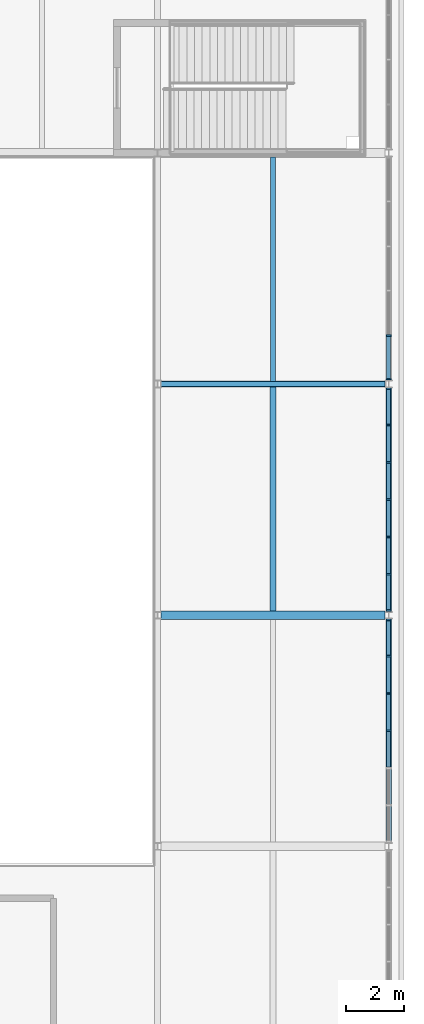
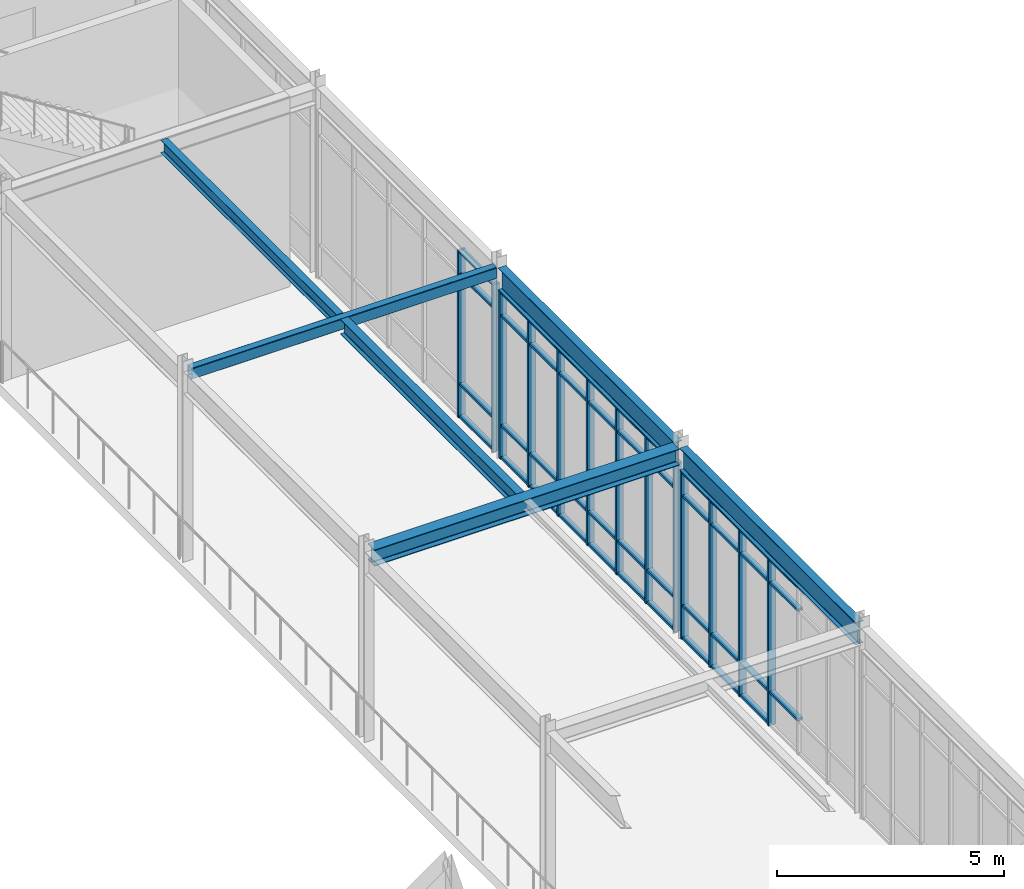
# One storey, part 76 of 184: 56 members, 6 beams, 3 elements without a shape of their own.
"""IFC4 building model written with IfcOpenShell, lengths in metres."""

from ifc_helpers import new_model, si_unit, direction, frame, origin, origin_2d, place, context, subcontext, project, spatial, rectangle, hollow_rectangle, i_section, extrude, material, material_profile, profile_set, type_object, element, aggregate, save


model = new_model("IFC4")

# Units and contexts
model_context = context("Model", 3, precision=1e-05, world=origin(), true_north=direction((0.0, 1.0)))
body_context = subcontext(model_context, "Body", "Model", "MODEL_VIEW")
ifc_project = project(units=[si_unit("LENGTHUNIT", "METRE"), si_unit("AREAUNIT", "SQUARE_METRE"), si_unit("VOLUMEUNIT", "CUBIC_METRE"), si_unit("PLANEANGLEUNIT", "RADIAN"), si_unit("MASSUNIT", "GRAM", prefix="KILO")], contexts=[model_context])

# Site, building, storey
site_placement = place(None, origin())
site = spatial("IfcSite", under=ifc_project, at=site_placement, CompositionType="ELEMENT")
building_placement = place(site_placement, origin())
building = spatial("IfcBuilding", under=site, at=building_placement, Name="Zhaolan Boulevard Law Courts", CompositionType="ELEMENT")
storey_placement = place(building_placement, frame((0.0, 0.0, 5.39990234375)))
storey = spatial("IfcBuildingStorey", under=building, at=storey_placement, Name="L01", CompositionType="ELEMENT", Elevation=5.39990234375)

# Curtain wall, members
ifc_material_1 = material(Name="Thermally broken aluminium and low-E glazing", Category="aluminium")
curtain_wall_type_1 = type_object("IfcCurtainWallType", Name="CURTAIN WALL M14", PredefinedType="USERDEFINED", material=ifc_material_1)
curtain_wall_1_placement = place(storey_placement, origin())
curtain_wall_1 = element("IfcCurtainWall", 1, at=curtain_wall_1_placement, inside=storey, type_object=curtain_wall_type_1, Name="Curtain Wall CW-L01-062", ObjectType="CURTAIN WALL", PredefinedType="USERDEFINED")
ifc_material_2 = material(Name="Fluorocarbon-coated aluminium 6063-T6", Category="aluminium")
ifc_material_profile_1 = material_profile(ifc_material_2, rectangle(XDim=0.179931640625, YDim=0.06494140625, at=origin_2d()), Name="AL65x180")
ifc_profile_set_1 = profile_set([ifc_material_profile_1], Name="Fluorocarbon-coated aluminium 6063-T6")
member_type_1 = type_object("IfcMemberType", Name="CWMULLION 65X180", PredefinedType="MULLION", material=ifc_profile_set_1)
member_1_placement = place(storey_placement, frame((164.0, 18.0, 0.0), z_axis=(0.0, 0.0, 1.0), x_axis=(-1.0, 0.0, 0.0)))
member_1 = element("IfcMember", 2, at=member_1_placement, type_object=member_type_1, Name="CW-L01-062 mullion 4", PredefinedType="MULLION", context=body_context, shape_type="SweptSolid", body=[
    extrude(rectangle(XDim=0.179931640625, YDim=0.06494140625, at=origin_2d()), origin(), (0.0, 0.0, 1.0), 4.503173828125),
])
member_2_placement = place(storey_placement, frame((164.0, 19.291015625, 0.0), z_axis=(0.0, 0.0, 1.0), x_axis=(-1.0, 0.0, 0.0)))
member_2 = element("IfcMember", 3, at=member_2_placement, type_object=member_type_1, Name="CW-L01-062 mullion 5", PredefinedType="MULLION", context=body_context, shape_type="SweptSolid", body=[
    extrude(rectangle(XDim=0.179931640625, YDim=0.06494140625, at=origin_2d()), origin(), (0.0, 0.0, 1.0), 4.503173828125),
])
member_3_placement = place(storey_placement, frame((164.0, 20.58203125, 0.0), z_axis=(0.0, 0.0, 1.0), x_axis=(-1.0, 0.0, 0.0)))
member_3 = element("IfcMember", 4, at=member_3_placement, type_object=member_type_1, Name="CW-L01-062 mullion 6", PredefinedType="MULLION", context=body_context, shape_type="SweptSolid", body=[
    extrude(rectangle(XDim=0.179931640625, YDim=0.06494140625, at=origin_2d()), origin(), (0.0, 0.0, 1.0), 4.503173828125),
])
member_4_placement = place(storey_placement, frame((164.0, 21.840576171875, 0.0), z_axis=(0.0, 0.0, 1.0), x_axis=(-1.0, 0.0, 0.0)))
member_4 = element("IfcMember", 5, at=member_4_placement, type_object=member_type_1, Name="CW-L01-062 mullion 7", PredefinedType="MULLION", context=body_context, shape_type="SweptSolid", body=[
    extrude(rectangle(XDim=0.179931640625, YDim=0.06494140625, at=origin_2d()), origin(), (0.0, 0.0, 1.0), 4.503173828125),
])

ifc_material_3 = material(Name="Thermally broken aluminium and low-E glazing", Category="aluminium")
curtain_wall_type_2 = type_object("IfcCurtainWallType", Name="CURTAIN WALL M15", PredefinedType="USERDEFINED", material=ifc_material_3)
curtain_wall_2_placement = place(storey_placement, origin())
curtain_wall_2 = element("IfcCurtainWall", 6, at=curtain_wall_2_placement, inside=storey, type_object=curtain_wall_type_2, Name="Curtain Wall CW-L01-063", ObjectType="CURTAIN WALL", PredefinedType="USERDEFINED")
member_5_placement = place(storey_placement, frame((164.0, 22.159423828125, 0.0), z_axis=(0.0, 0.0, 1.0), x_axis=(-1.0, 0.0, 0.0)))
member_5 = element("IfcMember", 7, at=member_5_placement, type_object=member_type_1, Name="CW-L01-063 mullion 1", PredefinedType="MULLION", context=body_context, shape_type="SweptSolid", body=[
    extrude(rectangle(XDim=0.179931640625, YDim=0.06494140625, at=origin_2d()), origin(), (0.0, 0.0, 1.0), 4.503173828125),
])
member_6_placement = place(storey_placement, frame((164.0, 23.41796875, 0.0), z_axis=(0.0, 0.0, 1.0), x_axis=(-1.0, 0.0, 0.0)))
member_6 = element("IfcMember", 8, at=member_6_placement, type_object=member_type_1, Name="CW-L01-063 mullion 2", PredefinedType="MULLION", context=body_context, shape_type="SweptSolid", body=[
    extrude(rectangle(XDim=0.179931640625, YDim=0.06494140625, at=origin_2d()), origin(), (0.0, 0.0, 1.0), 4.503173828125),
])
member_7_placement = place(storey_placement, frame((164.0, 24.708984375, 0.0), z_axis=(0.0, 0.0, 1.0), x_axis=(-1.0, 0.0, 0.0)))
member_7 = element("IfcMember", 9, at=member_7_placement, type_object=member_type_1, Name="CW-L01-063 mullion 3", PredefinedType="MULLION", context=body_context, shape_type="SweptSolid", body=[
    extrude(rectangle(XDim=0.179931640625, YDim=0.06494140625, at=origin_2d()), origin(), (0.0, 0.0, 1.0), 4.503173828125),
])
member_8_placement = place(storey_placement, frame((164.0, 26.0, 0.0), z_axis=(0.0, 0.0, 1.0), x_axis=(-1.0, 0.0, 0.0)))
member_8 = element("IfcMember", 10, at=member_8_placement, type_object=member_type_1, Name="CW-L01-063 mullion 4", PredefinedType="MULLION", context=body_context, shape_type="SweptSolid", body=[
    extrude(rectangle(XDim=0.179931640625, YDim=0.06494140625, at=origin_2d()), origin(), (0.0, 0.0, 1.0), 4.503173828125),
])
member_9_placement = place(storey_placement, frame((164.0, 27.291015625, 0.0), z_axis=(0.0, 0.0, 1.0), x_axis=(-1.0, 0.0, 0.0)))
member_9 = element("IfcMember", 11, at=member_9_placement, type_object=member_type_1, Name="CW-L01-063 mullion 5", PredefinedType="MULLION", context=body_context, shape_type="SweptSolid", body=[
    extrude(rectangle(XDim=0.179931640625, YDim=0.06494140625, at=origin_2d()), origin(), (0.0, 0.0, 1.0), 4.503173828125),
])
member_10_placement = place(storey_placement, frame((164.0, 28.58203125, 0.0), z_axis=(0.0, 0.0, 1.0), x_axis=(-1.0, 0.0, 0.0)))
member_10 = element("IfcMember", 12, at=member_10_placement, type_object=member_type_1, Name="CW-L01-063 mullion 6", PredefinedType="MULLION", context=body_context, shape_type="SweptSolid", body=[
    extrude(rectangle(XDim=0.179931640625, YDim=0.06494140625, at=origin_2d()), origin(), (0.0, 0.0, 1.0), 4.503173828125),
])
member_11_placement = place(storey_placement, frame((164.0, 29.840576171875, 0.0), z_axis=(0.0, 0.0, 1.0), x_axis=(-1.0, 0.0, 0.0)))
member_11 = element("IfcMember", 13, at=member_11_placement, type_object=member_type_1, Name="CW-L01-063 mullion 7", PredefinedType="MULLION", context=body_context, shape_type="SweptSolid", body=[
    extrude(rectangle(XDim=0.179931640625, YDim=0.06494140625, at=origin_2d()), origin(), (0.0, 0.0, 1.0), 4.503173828125),
])

ifc_material_4 = material(Name="Thermally broken aluminium and low-E glazing", Category="aluminium")
curtain_wall_type_3 = type_object("IfcCurtainWallType", Name="CURTAIN WALL M16", PredefinedType="USERDEFINED", material=ifc_material_4)
curtain_wall_3_placement = place(storey_placement, origin())
curtain_wall_3 = element("IfcCurtainWall", 14, at=curtain_wall_3_placement, inside=storey, type_object=curtain_wall_type_3, Name="Curtain Wall CW-L01-064", ObjectType="CURTAIN WALL", PredefinedType="USERDEFINED")
member_12_placement = place(storey_placement, frame((164.0, 30.159423828125, 0.0), z_axis=(0.0, 0.0, 1.0), x_axis=(-1.0, 0.0, 0.0)))
member_12 = element("IfcMember", 15, at=member_12_placement, type_object=member_type_1, Name="CW-L01-064 mullion 1", PredefinedType="MULLION", context=body_context, shape_type="SweptSolid", body=[
    extrude(rectangle(XDim=0.179931640625, YDim=0.06494140625, at=origin_2d()), origin(), (0.0, 0.0, 1.0), 4.503173828125),
])
member_13_placement = place(storey_placement, frame((164.0, 31.67626953125, 0.0), z_axis=(0.0, 0.0, 1.0), x_axis=(-1.0, 0.0, 0.0)))
member_13 = element("IfcMember", 16, at=member_13_placement, type_object=member_type_1, Name="CW-L01-064 mullion 2", PredefinedType="MULLION", context=body_context, shape_type="SweptSolid", body=[
    extrude(rectangle(XDim=0.179931640625, YDim=0.06494140625, at=origin_2d()), origin(), (0.0, 0.0, 1.0), 4.503173828125),
])

# Member
ifc_material_5 = material(Name="Fluorocarbon-coated aluminium 6063-T6", Category="aluminium")
ifc_material_profile_2 = material_profile(ifc_material_5, rectangle(XDim=0.139892578125, YDim=0.06494140625, at=origin_2d()), Name="AL65x140")
ifc_profile_set_2 = profile_set([ifc_material_profile_2], Name="Fluorocarbon-coated aluminium 6063-T6")
member_type_2 = type_object("IfcMemberType", Name="CWTRANSOM 65X140", PredefinedType="USERDEFINED", material=ifc_profile_set_2)
member_14_placement = place(storey_placement, frame((164.0, 16.741455078125, 0.900146484375), z_axis=(0.0, 1.0, 0.0), x_axis=(-1.0, 0.0, 0.0)))
member_14 = element("IfcMember", 17, at=member_14_placement, type_object=member_type_2, Name="CW-L01-062 transom 3.2", ObjectType="TRANSOM", PredefinedType="USERDEFINED", context=body_context, shape_type="SweptSolid", body=[
    extrude(rectangle(XDim=0.139892578125, YDim=0.06494140625, at=origin_2d()), origin(), (0.0, 0.0, 1.0), 1.22607421875),
])

member_15_placement = place(storey_placement, frame((164.0, 16.741455078125, 3.85302734375), z_axis=(0.0, 1.0, 0.0), x_axis=(-1.0, 0.0, 0.0)))
member_15 = element("IfcMember", 18, at=member_15_placement, type_object=member_type_2, Name="CW-L01-062 transom 3.3", ObjectType="TRANSOM", PredefinedType="USERDEFINED", context=body_context, shape_type="SweptSolid", body=[
    extrude(rectangle(XDim=0.139892578125, YDim=0.06494140625, at=origin_2d()), origin(), (0.0, 0.0, 1.0), 1.22607421875),
])

member_16_placement = place(storey_placement, frame((164.0, 16.741455078125, 4.470703125), z_axis=(0.0, 1.0, 0.0), x_axis=(-1.0, 0.0, 0.0)))
member_16 = element("IfcMember", 19, at=member_16_placement, type_object=member_type_2, Name="CW-L01-062 transom 3.4", ObjectType="TRANSOM", PredefinedType="USERDEFINED", context=body_context, shape_type="SweptSolid", body=[
    extrude(rectangle(XDim=0.139892578125, YDim=0.06494140625, at=origin_2d()), origin(), (0.0, 0.0, 1.0), 1.22607421875),
])

member_17_placement = place(storey_placement, frame((164.0, 18.032470703125, 0.03271484375), z_axis=(0.0, 1.0, 0.0), x_axis=(-1.0, 0.0, 0.0)))
member_17 = element("IfcMember", 20, at=member_17_placement, type_object=member_type_2, Name="CW-L01-062 transom 4.1", ObjectType="TRANSOM", PredefinedType="USERDEFINED", context=body_context, shape_type="SweptSolid", body=[
    extrude(rectangle(XDim=0.139892578125, YDim=0.06494140625, at=origin_2d()), origin(), (0.0, 0.0, 1.0), 1.22607421875),
])

member_18_placement = place(storey_placement, frame((164.0, 18.032470703125, 0.900146484375), z_axis=(0.0, 1.0, 0.0), x_axis=(-1.0, 0.0, 0.0)))
member_18 = element("IfcMember", 21, at=member_18_placement, type_object=member_type_2, Name="CW-L01-062 transom 4.2", ObjectType="TRANSOM", PredefinedType="USERDEFINED", context=body_context, shape_type="SweptSolid", body=[
    extrude(rectangle(XDim=0.139892578125, YDim=0.06494140625, at=origin_2d()), origin(), (0.0, 0.0, 1.0), 1.22607421875),
])

member_19_placement = place(storey_placement, frame((164.0, 18.032470703125, 3.85302734375), z_axis=(0.0, 1.0, 0.0), x_axis=(-1.0, 0.0, 0.0)))
member_19 = element("IfcMember", 22, at=member_19_placement, type_object=member_type_2, Name="CW-L01-062 transom 4.3", ObjectType="TRANSOM", PredefinedType="USERDEFINED", context=body_context, shape_type="SweptSolid", body=[
    extrude(rectangle(XDim=0.139892578125, YDim=0.06494140625, at=origin_2d()), origin(), (0.0, 0.0, 1.0), 1.22607421875),
])

member_20_placement = place(storey_placement, frame((164.0, 18.032470703125, 4.470703125), z_axis=(0.0, 1.0, 0.0), x_axis=(-1.0, 0.0, 0.0)))
member_20 = element("IfcMember", 23, at=member_20_placement, type_object=member_type_2, Name="CW-L01-062 transom 4.4", ObjectType="TRANSOM", PredefinedType="USERDEFINED", context=body_context, shape_type="SweptSolid", body=[
    extrude(rectangle(XDim=0.139892578125, YDim=0.06494140625, at=origin_2d()), origin(), (0.0, 0.0, 1.0), 1.22607421875),
])

member_21_placement = place(storey_placement, frame((164.0, 19.323486328125, 0.03271484375), z_axis=(0.0, 1.0, 0.0), x_axis=(-1.0, 0.0, 0.0)))
member_21 = element("IfcMember", 24, at=member_21_placement, type_object=member_type_2, Name="CW-L01-062 transom 5.1", ObjectType="TRANSOM", PredefinedType="USERDEFINED", context=body_context, shape_type="SweptSolid", body=[
    extrude(rectangle(XDim=0.139892578125, YDim=0.06494140625, at=origin_2d()), origin(), (0.0, 0.0, 1.0), 1.22607421875),
])

member_22_placement = place(storey_placement, frame((164.0, 19.323486328125, 0.900146484375), z_axis=(0.0, 1.0, 0.0), x_axis=(-1.0, 0.0, 0.0)))
member_22 = element("IfcMember", 25, at=member_22_placement, type_object=member_type_2, Name="CW-L01-062 transom 5.2", ObjectType="TRANSOM", PredefinedType="USERDEFINED", context=body_context, shape_type="SweptSolid", body=[
    extrude(rectangle(XDim=0.139892578125, YDim=0.06494140625, at=origin_2d()), origin(), (0.0, 0.0, 1.0), 1.22607421875),
])

member_23_placement = place(storey_placement, frame((164.0, 19.323486328125, 3.85302734375), z_axis=(0.0, 1.0, 0.0), x_axis=(-1.0, 0.0, 0.0)))
member_23 = element("IfcMember", 26, at=member_23_placement, type_object=member_type_2, Name="CW-L01-062 transom 5.3", ObjectType="TRANSOM", PredefinedType="USERDEFINED", context=body_context, shape_type="SweptSolid", body=[
    extrude(rectangle(XDim=0.139892578125, YDim=0.06494140625, at=origin_2d()), origin(), (0.0, 0.0, 1.0), 1.22607421875),
])

member_24_placement = place(storey_placement, frame((164.0, 19.323486328125, 4.470703125), z_axis=(0.0, 1.0, 0.0), x_axis=(-1.0, 0.0, 0.0)))
member_24 = element("IfcMember", 27, at=member_24_placement, type_object=member_type_2, Name="CW-L01-062 transom 5.4", ObjectType="TRANSOM", PredefinedType="USERDEFINED", context=body_context, shape_type="SweptSolid", body=[
    extrude(rectangle(XDim=0.139892578125, YDim=0.06494140625, at=origin_2d()), origin(), (0.0, 0.0, 1.0), 1.22607421875),
])

member_25_placement = place(storey_placement, frame((164.0, 20.614501953125, 0.03271484375), z_axis=(0.0, 1.0, 0.0), x_axis=(-1.0, 0.0, 0.0)))
member_25 = element("IfcMember", 28, at=member_25_placement, type_object=member_type_2, Name="CW-L01-062 transom 6.1", ObjectType="TRANSOM", PredefinedType="USERDEFINED", context=body_context, shape_type="SweptSolid", body=[
    extrude(rectangle(XDim=0.139892578125, YDim=0.06494140625, at=origin_2d()), origin(), (0.0, 0.0, 1.0), 1.193603515625),
])

member_26_placement = place(storey_placement, frame((164.0, 20.614501953125, 0.900146484375), z_axis=(0.0, 1.0, 0.0), x_axis=(-1.0, 0.0, 0.0)))
member_26 = element("IfcMember", 29, at=member_26_placement, type_object=member_type_2, Name="CW-L01-062 transom 6.2", ObjectType="TRANSOM", PredefinedType="USERDEFINED", context=body_context, shape_type="SweptSolid", body=[
    extrude(rectangle(XDim=0.139892578125, YDim=0.06494140625, at=origin_2d()), origin(), (0.0, 0.0, 1.0), 1.193603515625),
])

member_27_placement = place(storey_placement, frame((164.0, 20.614501953125, 3.85302734375), z_axis=(0.0, 1.0, 0.0), x_axis=(-1.0, 0.0, 0.0)))
member_27 = element("IfcMember", 30, at=member_27_placement, type_object=member_type_2, Name="CW-L01-062 transom 6.3", ObjectType="TRANSOM", PredefinedType="USERDEFINED", context=body_context, shape_type="SweptSolid", body=[
    extrude(rectangle(XDim=0.139892578125, YDim=0.06494140625, at=origin_2d()), origin(), (0.0, 0.0, 1.0), 1.193603515625),
])

member_28_placement = place(storey_placement, frame((164.0, 20.614501953125, 4.470703125), z_axis=(0.0, 1.0, 0.0), x_axis=(-1.0, 0.0, 0.0)))
member_28 = element("IfcMember", 31, at=member_28_placement, type_object=member_type_2, Name="CW-L01-062 transom 6.4", ObjectType="TRANSOM", PredefinedType="USERDEFINED", context=body_context, shape_type="SweptSolid", body=[
    extrude(rectangle(XDim=0.139892578125, YDim=0.06494140625, at=origin_2d()), origin(), (0.0, 0.0, 1.0), 1.193603515625),
])

aggregate(curtain_wall_1, [member_1, member_2, member_3, member_4, member_14, member_15, member_16, member_17, member_18, member_19, member_20, member_21, member_22, member_23, member_24, member_25, member_26, member_27, member_28])

member_29_placement = place(storey_placement, frame((164.0, 22.19189453125, 0.03271484375), z_axis=(0.0, 1.0, 0.0), x_axis=(-1.0, 0.0, 0.0)))
member_29 = element("IfcMember", 32, at=member_29_placement, type_object=member_type_2, Name="CW-L01-063 transom 1.1", ObjectType="TRANSOM", PredefinedType="USERDEFINED", context=body_context, shape_type="SweptSolid", body=[
    extrude(rectangle(XDim=0.139892578125, YDim=0.06494140625, at=origin_2d()), origin(), (0.0, 0.0, 1.0), 1.193603515625),
])

member_30_placement = place(storey_placement, frame((164.0, 22.19189453125, 0.900146484375), z_axis=(0.0, 1.0, 0.0), x_axis=(-1.0, 0.0, 0.0)))
member_30 = element("IfcMember", 33, at=member_30_placement, type_object=member_type_2, Name="CW-L01-063 transom 1.2", ObjectType="TRANSOM", PredefinedType="USERDEFINED", context=body_context, shape_type="SweptSolid", body=[
    extrude(rectangle(XDim=0.139892578125, YDim=0.06494140625, at=origin_2d()), origin(), (0.0, 0.0, 1.0), 1.193603515625),
])

member_31_placement = place(storey_placement, frame((164.0, 22.19189453125, 3.85302734375), z_axis=(0.0, 1.0, 0.0), x_axis=(-1.0, 0.0, 0.0)))
member_31 = element("IfcMember", 34, at=member_31_placement, type_object=member_type_2, Name="CW-L01-063 transom 1.3", ObjectType="TRANSOM", PredefinedType="USERDEFINED", context=body_context, shape_type="SweptSolid", body=[
    extrude(rectangle(XDim=0.139892578125, YDim=0.06494140625, at=origin_2d()), origin(), (0.0, 0.0, 1.0), 1.193603515625),
])

member_32_placement = place(storey_placement, frame((164.0, 22.19189453125, 4.470703125), z_axis=(0.0, 1.0, 0.0), x_axis=(-1.0, 0.0, 0.0)))
member_32 = element("IfcMember", 35, at=member_32_placement, type_object=member_type_2, Name="CW-L01-063 transom 1.4", ObjectType="TRANSOM", PredefinedType="USERDEFINED", context=body_context, shape_type="SweptSolid", body=[
    extrude(rectangle(XDim=0.139892578125, YDim=0.06494140625, at=origin_2d()), origin(), (0.0, 0.0, 1.0), 1.193603515625),
])

member_33_placement = place(storey_placement, frame((164.0, 23.450439453125, 0.03271484375), z_axis=(0.0, 1.0, 0.0), x_axis=(-1.0, 0.0, 0.0)))
member_33 = element("IfcMember", 36, at=member_33_placement, type_object=member_type_2, Name="CW-L01-063 transom 2.1", ObjectType="TRANSOM", PredefinedType="USERDEFINED", context=body_context, shape_type="SweptSolid", body=[
    extrude(rectangle(XDim=0.139892578125, YDim=0.06494140625, at=origin_2d()), origin(), (0.0, 0.0, 1.0), 1.22607421875),
])

member_34_placement = place(storey_placement, frame((164.0, 23.450439453125, 0.900146484375), z_axis=(0.0, 1.0, 0.0), x_axis=(-1.0, 0.0, 0.0)))
member_34 = element("IfcMember", 37, at=member_34_placement, type_object=member_type_2, Name="CW-L01-063 transom 2.2", ObjectType="TRANSOM", PredefinedType="USERDEFINED", context=body_context, shape_type="SweptSolid", body=[
    extrude(rectangle(XDim=0.139892578125, YDim=0.06494140625, at=origin_2d()), origin(), (0.0, 0.0, 1.0), 1.22607421875),
])

member_35_placement = place(storey_placement, frame((164.0, 23.450439453125, 3.85302734375), z_axis=(0.0, 1.0, 0.0), x_axis=(-1.0, 0.0, 0.0)))
member_35 = element("IfcMember", 38, at=member_35_placement, type_object=member_type_2, Name="CW-L01-063 transom 2.3", ObjectType="TRANSOM", PredefinedType="USERDEFINED", context=body_context, shape_type="SweptSolid", body=[
    extrude(rectangle(XDim=0.139892578125, YDim=0.06494140625, at=origin_2d()), origin(), (0.0, 0.0, 1.0), 1.22607421875),
])

member_36_placement = place(storey_placement, frame((164.0, 23.450439453125, 4.470703125), z_axis=(0.0, 1.0, 0.0), x_axis=(-1.0, 0.0, 0.0)))
member_36 = element("IfcMember", 39, at=member_36_placement, type_object=member_type_2, Name="CW-L01-063 transom 2.4", ObjectType="TRANSOM", PredefinedType="USERDEFINED", context=body_context, shape_type="SweptSolid", body=[
    extrude(rectangle(XDim=0.139892578125, YDim=0.06494140625, at=origin_2d()), origin(), (0.0, 0.0, 1.0), 1.22607421875),
])

member_37_placement = place(storey_placement, frame((164.0, 24.741455078125, 0.03271484375), z_axis=(0.0, 1.0, 0.0), x_axis=(-1.0, 0.0, 0.0)))
member_37 = element("IfcMember", 40, at=member_37_placement, type_object=member_type_2, Name="CW-L01-063 transom 3.1", ObjectType="TRANSOM", PredefinedType="USERDEFINED", context=body_context, shape_type="SweptSolid", body=[
    extrude(rectangle(XDim=0.139892578125, YDim=0.06494140625, at=origin_2d()), origin(), (0.0, 0.0, 1.0), 1.22607421875),
])

member_38_placement = place(storey_placement, frame((164.0, 24.741455078125, 0.900146484375), z_axis=(0.0, 1.0, 0.0), x_axis=(-1.0, 0.0, 0.0)))
member_38 = element("IfcMember", 41, at=member_38_placement, type_object=member_type_2, Name="CW-L01-063 transom 3.2", ObjectType="TRANSOM", PredefinedType="USERDEFINED", context=body_context, shape_type="SweptSolid", body=[
    extrude(rectangle(XDim=0.139892578125, YDim=0.06494140625, at=origin_2d()), origin(), (0.0, 0.0, 1.0), 1.22607421875),
])

member_39_placement = place(storey_placement, frame((164.0, 24.741455078125, 3.85302734375), z_axis=(0.0, 1.0, 0.0), x_axis=(-1.0, 0.0, 0.0)))
member_39 = element("IfcMember", 42, at=member_39_placement, type_object=member_type_2, Name="CW-L01-063 transom 3.3", ObjectType="TRANSOM", PredefinedType="USERDEFINED", context=body_context, shape_type="SweptSolid", body=[
    extrude(rectangle(XDim=0.139892578125, YDim=0.06494140625, at=origin_2d()), origin(), (0.0, 0.0, 1.0), 1.22607421875),
])

member_40_placement = place(storey_placement, frame((164.0, 24.741455078125, 4.470703125), z_axis=(0.0, 1.0, 0.0), x_axis=(-1.0, 0.0, 0.0)))
member_40 = element("IfcMember", 43, at=member_40_placement, type_object=member_type_2, Name="CW-L01-063 transom 3.4", ObjectType="TRANSOM", PredefinedType="USERDEFINED", context=body_context, shape_type="SweptSolid", body=[
    extrude(rectangle(XDim=0.139892578125, YDim=0.06494140625, at=origin_2d()), origin(), (0.0, 0.0, 1.0), 1.22607421875),
])

member_41_placement = place(storey_placement, frame((164.0, 26.032470703125, 0.03271484375), z_axis=(0.0, 1.0, 0.0), x_axis=(-1.0, 0.0, 0.0)))
member_41 = element("IfcMember", 44, at=member_41_placement, type_object=member_type_2, Name="CW-L01-063 transom 4.1", ObjectType="TRANSOM", PredefinedType="USERDEFINED", context=body_context, shape_type="SweptSolid", body=[
    extrude(rectangle(XDim=0.139892578125, YDim=0.06494140625, at=origin_2d()), origin(), (0.0, 0.0, 1.0), 1.22607421875),
])

member_42_placement = place(storey_placement, frame((164.0, 26.032470703125, 0.900146484375), z_axis=(0.0, 1.0, 0.0), x_axis=(-1.0, 0.0, 0.0)))
member_42 = element("IfcMember", 45, at=member_42_placement, type_object=member_type_2, Name="CW-L01-063 transom 4.2", ObjectType="TRANSOM", PredefinedType="USERDEFINED", context=body_context, shape_type="SweptSolid", body=[
    extrude(rectangle(XDim=0.139892578125, YDim=0.06494140625, at=origin_2d()), origin(), (0.0, 0.0, 1.0), 1.22607421875),
])

member_43_placement = place(storey_placement, frame((164.0, 26.032470703125, 3.85302734375), z_axis=(0.0, 1.0, 0.0), x_axis=(-1.0, 0.0, 0.0)))
member_43 = element("IfcMember", 46, at=member_43_placement, type_object=member_type_2, Name="CW-L01-063 transom 4.3", ObjectType="TRANSOM", PredefinedType="USERDEFINED", context=body_context, shape_type="SweptSolid", body=[
    extrude(rectangle(XDim=0.139892578125, YDim=0.06494140625, at=origin_2d()), origin(), (0.0, 0.0, 1.0), 1.22607421875),
])

member_44_placement = place(storey_placement, frame((164.0, 26.032470703125, 4.470703125), z_axis=(0.0, 1.0, 0.0), x_axis=(-1.0, 0.0, 0.0)))
member_44 = element("IfcMember", 47, at=member_44_placement, type_object=member_type_2, Name="CW-L01-063 transom 4.4", ObjectType="TRANSOM", PredefinedType="USERDEFINED", context=body_context, shape_type="SweptSolid", body=[
    extrude(rectangle(XDim=0.139892578125, YDim=0.06494140625, at=origin_2d()), origin(), (0.0, 0.0, 1.0), 1.22607421875),
])

member_45_placement = place(storey_placement, frame((164.0, 27.323486328125, 0.03271484375), z_axis=(0.0, 1.0, 0.0), x_axis=(-1.0, 0.0, 0.0)))
member_45 = element("IfcMember", 48, at=member_45_placement, type_object=member_type_2, Name="CW-L01-063 transom 5.1", ObjectType="TRANSOM", PredefinedType="USERDEFINED", context=body_context, shape_type="SweptSolid", body=[
    extrude(rectangle(XDim=0.139892578125, YDim=0.06494140625, at=origin_2d()), origin(), (0.0, 0.0, 1.0), 1.22607421875),
])

member_46_placement = place(storey_placement, frame((164.0, 27.323486328125, 0.900146484375), z_axis=(0.0, 1.0, 0.0), x_axis=(-1.0, 0.0, 0.0)))
member_46 = element("IfcMember", 49, at=member_46_placement, type_object=member_type_2, Name="CW-L01-063 transom 5.2", ObjectType="TRANSOM", PredefinedType="USERDEFINED", context=body_context, shape_type="SweptSolid", body=[
    extrude(rectangle(XDim=0.139892578125, YDim=0.06494140625, at=origin_2d()), origin(), (0.0, 0.0, 1.0), 1.22607421875),
])

member_47_placement = place(storey_placement, frame((164.0, 27.323486328125, 3.85302734375), z_axis=(0.0, 1.0, 0.0), x_axis=(-1.0, 0.0, 0.0)))
member_47 = element("IfcMember", 50, at=member_47_placement, type_object=member_type_2, Name="CW-L01-063 transom 5.3", ObjectType="TRANSOM", PredefinedType="USERDEFINED", context=body_context, shape_type="SweptSolid", body=[
    extrude(rectangle(XDim=0.139892578125, YDim=0.06494140625, at=origin_2d()), origin(), (0.0, 0.0, 1.0), 1.22607421875),
])

member_48_placement = place(storey_placement, frame((164.0, 27.323486328125, 4.470703125), z_axis=(0.0, 1.0, 0.0), x_axis=(-1.0, 0.0, 0.0)))
member_48 = element("IfcMember", 51, at=member_48_placement, type_object=member_type_2, Name="CW-L01-063 transom 5.4", ObjectType="TRANSOM", PredefinedType="USERDEFINED", context=body_context, shape_type="SweptSolid", body=[
    extrude(rectangle(XDim=0.139892578125, YDim=0.06494140625, at=origin_2d()), origin(), (0.0, 0.0, 1.0), 1.22607421875),
])

member_49_placement = place(storey_placement, frame((164.0, 28.614501953125, 0.03271484375), z_axis=(0.0, 1.0, 0.0), x_axis=(-1.0, 0.0, 0.0)))
member_49 = element("IfcMember", 52, at=member_49_placement, type_object=member_type_2, Name="CW-L01-063 transom 6.1", ObjectType="TRANSOM", PredefinedType="USERDEFINED", context=body_context, shape_type="SweptSolid", body=[
    extrude(rectangle(XDim=0.139892578125, YDim=0.06494140625, at=origin_2d()), origin(), (0.0, 0.0, 1.0), 1.193603515625),
])

member_50_placement = place(storey_placement, frame((164.0, 28.614501953125, 0.900146484375), z_axis=(0.0, 1.0, 0.0), x_axis=(-1.0, 0.0, 0.0)))
member_50 = element("IfcMember", 53, at=member_50_placement, type_object=member_type_2, Name="CW-L01-063 transom 6.2", ObjectType="TRANSOM", PredefinedType="USERDEFINED", context=body_context, shape_type="SweptSolid", body=[
    extrude(rectangle(XDim=0.139892578125, YDim=0.06494140625, at=origin_2d()), origin(), (0.0, 0.0, 1.0), 1.193603515625),
])

member_51_placement = place(storey_placement, frame((164.0, 28.614501953125, 3.85302734375), z_axis=(0.0, 1.0, 0.0), x_axis=(-1.0, 0.0, 0.0)))
member_51 = element("IfcMember", 54, at=member_51_placement, type_object=member_type_2, Name="CW-L01-063 transom 6.3", ObjectType="TRANSOM", PredefinedType="USERDEFINED", context=body_context, shape_type="SweptSolid", body=[
    extrude(rectangle(XDim=0.139892578125, YDim=0.06494140625, at=origin_2d()), origin(), (0.0, 0.0, 1.0), 1.193603515625),
])

member_52_placement = place(storey_placement, frame((164.0, 28.614501953125, 4.470703125), z_axis=(0.0, 1.0, 0.0), x_axis=(-1.0, 0.0, 0.0)))
member_52 = element("IfcMember", 55, at=member_52_placement, type_object=member_type_2, Name="CW-L01-063 transom 6.4", ObjectType="TRANSOM", PredefinedType="USERDEFINED", context=body_context, shape_type="SweptSolid", body=[
    extrude(rectangle(XDim=0.139892578125, YDim=0.06494140625, at=origin_2d()), origin(), (0.0, 0.0, 1.0), 1.193603515625),
])

aggregate(curtain_wall_2, [member_5, member_6, member_7, member_8, member_9, member_10, member_11, member_29, member_30, member_31, member_32, member_33, member_34, member_35, member_36, member_37, member_38, member_39, member_40, member_41, member_42, member_43, member_44, member_45, member_46, member_47, member_48, member_49, member_50, member_51, member_52])

member_53_placement = place(storey_placement, frame((164.0, 30.19189453125, 0.03271484375), z_axis=(0.0, 1.0, 0.0), x_axis=(-1.0, 0.0, 0.0)))
member_53 = element("IfcMember", 56, at=member_53_placement, type_object=member_type_2, Name="CW-L01-064 transom 1.1", ObjectType="TRANSOM", PredefinedType="USERDEFINED", context=body_context, shape_type="SweptSolid", body=[
    extrude(rectangle(XDim=0.139892578125, YDim=0.06494140625, at=origin_2d()), origin(), (0.0, 0.0, 1.0), 1.451904296875),
])

member_54_placement = place(storey_placement, frame((164.0, 30.19189453125, 0.900146484375), z_axis=(0.0, 1.0, 0.0), x_axis=(-1.0, 0.0, 0.0)))
member_54 = element("IfcMember", 57, at=member_54_placement, type_object=member_type_2, Name="CW-L01-064 transom 1.2", ObjectType="TRANSOM", PredefinedType="USERDEFINED", context=body_context, shape_type="SweptSolid", body=[
    extrude(rectangle(XDim=0.139892578125, YDim=0.06494140625, at=origin_2d()), origin(), (0.0, 0.0, 1.0), 1.451904296875),
])

member_55_placement = place(storey_placement, frame((164.0, 30.19189453125, 3.85302734375), z_axis=(0.0, 1.0, 0.0), x_axis=(-1.0, 0.0, 0.0)))
member_55 = element("IfcMember", 58, at=member_55_placement, type_object=member_type_2, Name="CW-L01-064 transom 1.3", ObjectType="TRANSOM", PredefinedType="USERDEFINED", context=body_context, shape_type="SweptSolid", body=[
    extrude(rectangle(XDim=0.139892578125, YDim=0.06494140625, at=origin_2d()), origin(), (0.0, 0.0, 1.0), 1.451904296875),
])

member_56_placement = place(storey_placement, frame((164.0, 30.19189453125, 4.470703125), z_axis=(0.0, 1.0, 0.0), x_axis=(-1.0, 0.0, 0.0)))
member_56 = element("IfcMember", 59, at=member_56_placement, type_object=member_type_2, Name="CW-L01-064 transom 1.4", ObjectType="TRANSOM", PredefinedType="USERDEFINED", context=body_context, shape_type="SweptSolid", body=[
    extrude(rectangle(XDim=0.139892578125, YDim=0.06494140625, at=origin_2d()), origin(), (0.0, 0.0, 1.0), 1.451904296875),
])

aggregate(curtain_wall_3, [member_12, member_13, member_53, member_54, member_55, member_56])

# Beams
ifc_material_6 = material(Name="Structural steel Q355B", Category="steel")
ifc_material_profile_3 = material_profile(ifc_material_6, i_section(OverallWidth=0.300048828125, OverallDepth=0.43994140625, WebThickness=0.010986328125, FlangeThickness=0.01806640625, FilletRadius=0.02001953125, at=origin_2d()), Name="HM440x300")
ifc_profile_set_3 = profile_set([ifc_material_profile_3], Name="Structural steel Q355B")
beam_type_1 = type_object("IfcBeamType", Name="GIRDER HM440", PredefinedType="BEAM", material=ifc_profile_set_3)
beam_1_placement = place(storey_placement, frame((156.12109375, 22.0, 4.898193359375), z_axis=(1.0, 0.0, 0.0), x_axis=(0.0, 1.0, 0.0)))
element("IfcBeam", 60, at=beam_1_placement, inside=storey, type_object=beam_type_1, Name="Beam BX-L02-20-21-D", PredefinedType="BEAM", context=body_context, shape_type="SweptSolid", body=[
    extrude(i_section(OverallWidth=0.300048828125, OverallDepth=0.43994140625, WebThickness=0.010986328125, FlangeThickness=0.01806640625, FilletRadius=0.02001953125, at=origin_2d()), origin(), (0.0, 0.0, 1.0), 7.7578125),
])
ifc_material_7 = material(Name="Structural steel Q355B", Category="steel")
ifc_material_profile_4 = material_profile(ifc_material_7, i_section(OverallWidth=0.199951171875, OverallDepth=0.60009765625, WebThickness=0.010986328125, FlangeThickness=0.01708984375, FilletRadius=0.02001953125, at=origin_2d()), Name="HN600x200")
ifc_profile_set_4 = profile_set([ifc_material_profile_4], Name="Structural steel Q355B")
beam_type_2 = type_object("IfcBeamType", Name="GIRDER HN600", PredefinedType="BEAM", material=ifc_profile_set_4)
for number, where, z_axis, x_axis, name in (
    (61, (164.0, 14.12109375, 4.818115234375), (0.0, 1.0, 0.0), (-1.0, 0.0, 0.0), "Beam BY-L02-21-C-D"),
    (62, (164.0, 22.12109375, 4.818115234375), (0.0, 1.0, 0.0), (-1.0, 0.0, 0.0), "Beam BY-L02-21-D-E"),
):
    element("IfcBeam", number, at=place(storey_placement, frame(where, z_axis=z_axis, x_axis=x_axis)), inside=storey, type_object=beam_type_2, Name=name, PredefinedType="BEAM", context=body_context, shape_type="SweptSolid", body=[
        extrude(i_section(OverallWidth=0.199951171875, OverallDepth=0.60009765625, WebThickness=0.010986328125, FlangeThickness=0.01708984375, FilletRadius=0.02001953125, at=origin_2d()), origin(), (0.0, 0.0, 1.0), 7.7578125),
    ])
ifc_material_8 = material(Name="Structural steel Q355B", Category="steel")
ifc_material_profile_5 = material_profile(ifc_material_8, i_section(OverallWidth=0.175048828125, OverallDepth=0.35009765625, WebThickness=0.007080078125, FlangeThickness=0.010986328125, FilletRadius=0.012939453125, at=origin_2d()), Name="HN350x175")
ifc_profile_set_5 = profile_set([ifc_material_profile_5], Name="Structural steel Q355B")
beam_type_3 = type_object("IfcBeamType", Name="JOIST HN350", PredefinedType="JOIST", material=ifc_profile_set_5)
beam_2_placement = place(storey_placement, frame((160.0, 30.095947265625, 4.943115234375), z_axis=(0.0, 1.0, 0.0), x_axis=(-1.0, 0.0, 0.0)))
element("IfcBeam", 63, at=beam_2_placement, inside=storey, type_object=beam_type_3, Name="Composite Joist J-L02-20E", PredefinedType="JOIST", context=body_context, shape_type="SweptSolid", body=[
    extrude(i_section(OverallWidth=0.175048828125, OverallDepth=0.35009765625, WebThickness=0.007080078125, FlangeThickness=0.010986328125, FilletRadius=0.012939453125, at=origin_2d()), origin(), (0.0, 0.0, 1.0), 7.758056640625),
])
ifc_material_9 = material(Name="Structural steel Q355B", Category="steel")
ifc_material_profile_6 = material_profile(ifc_material_9, i_section(OverallWidth=0.199951171875, OverallDepth=0.39990234375, WebThickness=0.008056640625, FlangeThickness=0.012939453125, FilletRadius=0.013916015625, at=origin_2d()), Name="HN400x200")
ifc_profile_set_6 = profile_set([ifc_material_profile_6], Name="Structural steel Q355B")
beam_type_4 = type_object("IfcBeamType", Name="JOIST HN400", PredefinedType="JOIST", material=ifc_profile_set_6)
beam_3_placement = place(storey_placement, frame((160.0, 22.14599609375, 4.918212890625), z_axis=(0.0, 1.0, 0.0), x_axis=(-1.0, 0.0, 0.0)))
element("IfcBeam", 64, at=beam_3_placement, inside=storey, type_object=beam_type_4, Name="Composite Joist J-L02-20D", PredefinedType="JOIST", context=body_context, shape_type="SweptSolid", body=[
    extrude(i_section(OverallWidth=0.199951171875, OverallDepth=0.39990234375, WebThickness=0.008056640625, FlangeThickness=0.012939453125, FilletRadius=0.013916015625, at=origin_2d()), origin(), (0.0, 0.0, 1.0), 7.758056640625),
])
ifc_material_10 = material(Name="Structural steel Q355B", Category="steel")
ifc_material_profile_7 = material_profile(ifc_material_10, hollow_rectangle(XDim=0.199951171875, YDim=0.300048828125, WallThickness=0.011962890625, InnerFilletRadius=0.011962890625, OuterFilletRadius=0.02392578125, at=origin_2d()), Name="HSS300x200x12")
ifc_profile_set_7 = profile_set([ifc_material_profile_7], Name="Structural steel Q355B")
beam_type_5 = type_object("IfcBeamType", Name="SPANDREL HSS300", PredefinedType="SPANDREL", material=ifc_profile_set_7)
beam_4_placement = place(storey_placement, frame((156.12109375, 30.0, 4.968017578125), z_axis=(1.0, 0.0, 0.0), x_axis=(0.0, 1.0, 0.0)))
element("IfcBeam", 65, at=beam_4_placement, inside=storey, type_object=beam_type_5, Name="Beam BX-L02-20-21-E", PredefinedType="SPANDREL", context=body_context, shape_type="SweptSolid", body=[
    extrude(hollow_rectangle(XDim=0.199951171875, YDim=0.300048828125, WallThickness=0.011962890625, InnerFilletRadius=0.011962890625, OuterFilletRadius=0.02392578125, at=origin_2d()), origin(), (0.0, 0.0, 1.0), 7.7578125),
])

save(model, "model.ifc")
